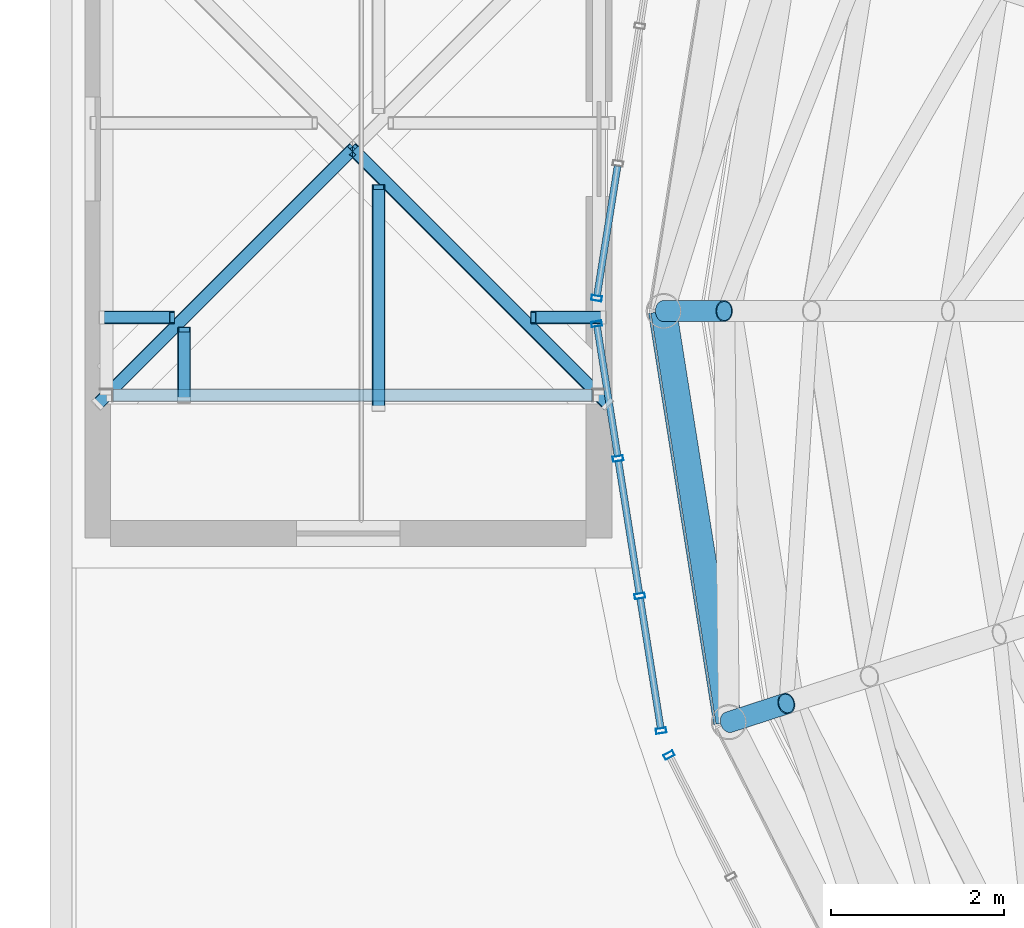
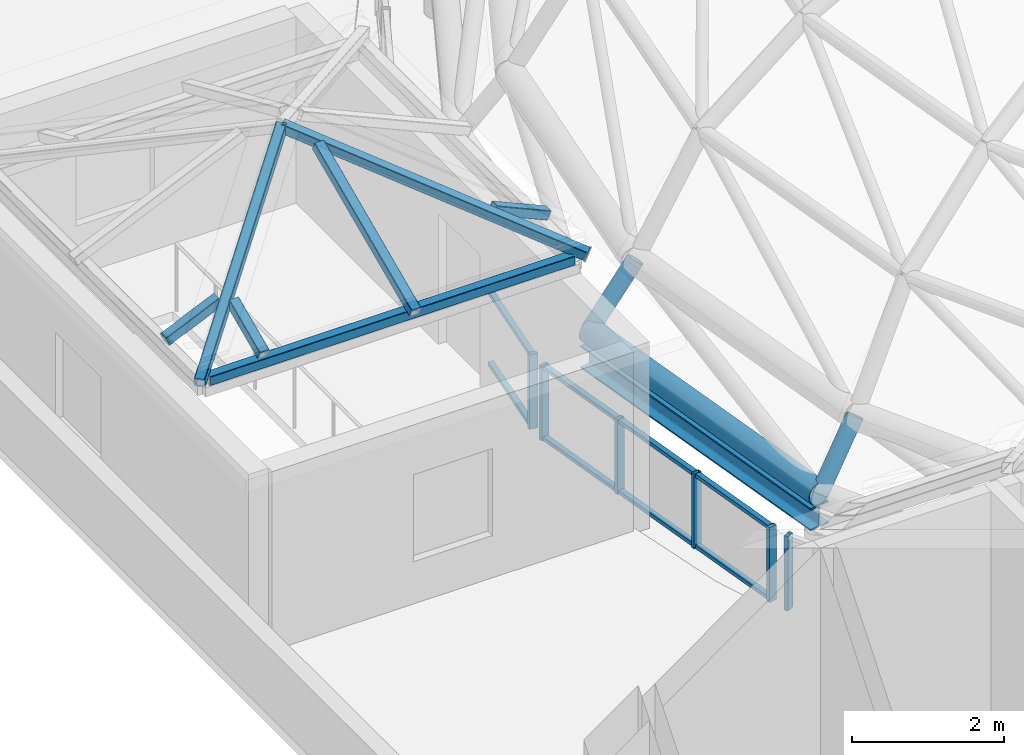
# One storey, part 21 of 69: 24 members, 1 beam, 3 elements without a shape of their own.
"""IFC4 building model written with IfcOpenShell, lengths in metres."""

from ifc_helpers import new_model, si_unit, direction, frame, origin, origin_2d, place, context, subcontext, project, spatial, hollow_rectangle, hollow_circle, i_section, extrude, material, layer, layer_set, material_profile, profile_set, type_object, element, aggregate, save


model = new_model("IFC4")

# Units and contexts
model_context = context("Model", 3, precision=1e-05, world=origin(), true_north=direction((0.0, 1.0)))
body_context = subcontext(model_context, "Body", "Model", "MODEL_VIEW")
ifc_project = project(units=[si_unit("LENGTHUNIT", "METRE"), si_unit("AREAUNIT", "SQUARE_METRE"), si_unit("VOLUMEUNIT", "CUBIC_METRE"), si_unit("PLANEANGLEUNIT", "RADIAN"), si_unit("MASSUNIT", "GRAM", prefix="KILO")], contexts=[model_context])

# Site, building, storey
site_placement = place(None, origin())
site = spatial("IfcSite", under=ifc_project, at=site_placement, CompositionType="ELEMENT")
building_placement = place(site_placement, origin())
building = spatial("IfcBuilding", under=site, at=building_placement, Name="Kallimachos Central Library", CompositionType="ELEMENT")
storey_placement = place(building_placement, frame((0.0, 0.0, 23.39990234375)))
storey = spatial("IfcBuildingStorey", under=building, at=storey_placement, Name="L05", CompositionType="ELEMENT", Elevation=23.39990234375)

# Members
ifc_material_1 = material(Name="Steel S355J2H", Category="steel")
ifc_material_profile_1 = material_profile(ifc_material_1, hollow_circle(Radius=0.122314453125, WallThickness=0.012451171875, at=origin_2d()), Name="CHS 244.5x12.5")
ifc_profile_set_1 = profile_set([ifc_material_profile_1], Name="Steel S355J2H")
member_type_1 = type_object("IfcMemberType", Name="CHS 244.5x12.5 dome rib", PredefinedType="RAFTER", material=ifc_profile_set_1)
for number, where, z_axis, x_axis, name in (
    (1, (73.300048828125, 104.39990234375, 2.27783203125), (-0.613955438871, 0.0, -0.78934068632), (0.0, -1.0, 0.0), "Dome rib DR-7-10"),
    (2, (74.01953125, 99.857421875, 2.27783203125), (-0.583950472089, -0.189725015868, -0.78930745879), (0.308999325213, -0.951062257173, 0.0), "Dome rib DR-7-11"),
):
    element("IfcMember", number, at=place(storey_placement, frame(where, z_axis=z_axis, x_axis=x_axis)), inside=storey, type_object=member_type_1, Name=name, PredefinedType="RAFTER", context=body_context, shape_type="SweptSolid", body=[
        extrude(hollow_circle(Radius=0.122314453125, WallThickness=0.012451171875, at=origin_2d()), origin(), (0.0, 0.0, 1.0), 1.14013671875),
    ])
ifc_material_2 = material(Name="Steel S355J2H", Category="steel")
ifc_material_profile_2 = material_profile(ifc_material_2, hollow_circle(Radius=0.177734375, WallThickness=0.008056640625, at=origin_2d()), Name="CHS 355.6x8")
ifc_profile_set_2 = profile_set([ifc_material_profile_2], Name="Steel S355J2H")
member_type_2 = type_object("IfcMemberType", Name="CHS 355.6x8 dome ring", PredefinedType="PURLIN", material=ifc_profile_set_2)
member_1_placement = place(storey_placement, frame((72.60009765625, 104.39990234375, 1.3779296875), z_axis=(0.156423119957, -0.987690137413, 0.0), x_axis=(0.987690137413, 0.156423119957, 0.0)))
element("IfcMember", 3, at=member_1_placement, inside=storey, type_object=member_type_2, Name="Dome ring DN-8-10", PredefinedType="PURLIN", context=body_context, shape_type="SweptSolid", body=[
    extrude(hollow_circle(Radius=0.177734375, WallThickness=0.008056640625, at=origin_2d()), origin(), (0.0, 0.0, 1.0), 4.818115234375),
])

# Curtain wall, member
ifc_material_3 = material(Name="Anodised aluminium and laminated glass", Category="aluminium")
ifc_layer = layer(ifc_material_3, 0.159912109375)
ifc_layer_set = layer_set([ifc_layer], Name="Glass box curtain wall")
curtain_wall_type = type_object("IfcCurtainWallType", Name="Glass box curtain wall", PredefinedType="NOTDEFINED", material=ifc_layer_set)
curtain_wall_1_placement = place(storey_placement, origin())
curtain_wall_1 = element("IfcCurtainWall", 4, at=curtain_wall_1_placement, inside=storey, type_object=curtain_wall_type, Name="Drum clerestory facet 10", PredefinedType="NOTDEFINED")
ifc_material_4 = material(Name="Anodised aluminium", Category="aluminium")
ifc_material_profile_3 = material_profile(ifc_material_4, hollow_rectangle(XDim=0.06005859375, YDim=0.1201171875, WallThickness=0.00390625, at=origin_2d()), Name="ALU MULLION 60x120")
ifc_profile_set_3 = profile_set([ifc_material_profile_3], Name="Anodised aluminium")
member_type_3 = type_object("IfcMemberType", Name="Glass box mullion 60x120", PredefinedType="MULLION", material=ifc_profile_set_3)
member_2_placement = place(storey_placement, frame((71.823974609375, 104.548095703125, 0.0), z_axis=(0.0, 0.0, 1.0), x_axis=(-0.156435338924, -0.987688202185, 0.0)))
member_2 = element("IfcMember", 5, at=member_2_placement, type_object=member_type_3, Name="CW44 mullion 4", PredefinedType="MULLION", context=body_context, shape_type="SweptSolid", body=[
    extrude(hollow_rectangle(XDim=0.06005859375, YDim=0.1201171875, WallThickness=0.00390625, at=origin_2d()), origin(), (0.0, 0.0, 1.0), 1.2001953125),
])

# Curtain wall, members
curtain_wall_2_placement = place(storey_placement, origin())
curtain_wall_2 = element("IfcCurtainWall", 6, at=curtain_wall_2_placement, inside=storey, type_object=curtain_wall_type, Name="Drum clerestory facet 11", PredefinedType="NOTDEFINED")
member_3_placement = place(storey_placement, frame((71.823974609375, 104.251953125, 0.0), z_axis=(0.0, 0.0, 1.0), x_axis=(0.156435338924, -0.987688202185, 0.0)))
member_3 = element("IfcMember", 7, at=member_3_placement, type_object=member_type_3, Name="CW45 mullion 1", PredefinedType="MULLION", context=body_context, shape_type="SweptSolid", body=[
    extrude(hollow_rectangle(XDim=0.06005859375, YDim=0.1201171875, WallThickness=0.00390625, at=origin_2d()), origin(), (0.0, 0.0, 1.0), 1.2001953125),
])
member_4_placement = place(storey_placement, frame((72.071044921875, 102.69189453125, 0.0), z_axis=(0.0, 0.0, 1.0), x_axis=(0.156435338924, -0.987688202185, 0.0)))
member_4 = element("IfcMember", 8, at=member_4_placement, type_object=member_type_3, Name="CW45 mullion 2", PredefinedType="MULLION", context=body_context, shape_type="SweptSolid", body=[
    extrude(hollow_rectangle(XDim=0.06005859375, YDim=0.1201171875, WallThickness=0.00390625, at=origin_2d()), origin(), (0.0, 0.0, 1.0), 1.2001953125),
])
member_5_placement = place(storey_placement, frame((72.322998046875, 101.102294921875, 0.0), z_axis=(0.0, 0.0, 1.0), x_axis=(0.156435338924, -0.987688202185, 0.0)))
member_5 = element("IfcMember", 9, at=member_5_placement, type_object=member_type_3, Name="CW45 mullion 3", PredefinedType="MULLION", context=body_context, shape_type="SweptSolid", body=[
    extrude(hollow_rectangle(XDim=0.06005859375, YDim=0.1201171875, WallThickness=0.00390625, at=origin_2d()), origin(), (0.0, 0.0, 1.0), 1.2001953125),
])
member_6_placement = place(storey_placement, frame((72.570068359375, 99.542236328125, 0.0), z_axis=(0.0, 0.0, 1.0), x_axis=(0.156435338924, -0.987688202185, 0.0)))
member_6 = element("IfcMember", 10, at=member_6_placement, type_object=member_type_3, Name="CW45 mullion 4", PredefinedType="MULLION", context=body_context, shape_type="SweptSolid", body=[
    extrude(hollow_rectangle(XDim=0.06005859375, YDim=0.1201171875, WallThickness=0.00390625, at=origin_2d()), origin(), (0.0, 0.0, 1.0), 1.2001953125),
])

# Curtain wall, member
curtain_wall_3_placement = place(storey_placement, origin())
curtain_wall_3 = element("IfcCurtainWall", 11, at=curtain_wall_3_placement, inside=storey, type_object=curtain_wall_type, Name="Drum clerestory facet 12", PredefinedType="NOTDEFINED")
member_7_placement = place(storey_placement, frame((72.66162109375, 99.260498046875, 0.0), z_axis=(0.0, 0.0, 1.0), x_axis=(0.453990803653, -0.891006369337, 0.0)))
member_7 = element("IfcMember", 12, at=member_7_placement, type_object=member_type_3, Name="CW46 mullion 1", PredefinedType="MULLION", context=body_context, shape_type="SweptSolid", body=[
    extrude(hollow_rectangle(XDim=0.06005859375, YDim=0.1201171875, WallThickness=0.00390625, at=origin_2d()), origin(), (0.0, 0.0, 1.0), 1.2001953125),
])
aggregate(curtain_wall_3, [member_7])

# Member
ifc_material_5 = material(Name="Anodised aluminium", Category="aluminium")
ifc_material_profile_4 = material_profile(ifc_material_5, hollow_rectangle(XDim=0.06005859375, YDim=0.080078125, WallThickness=0.00390625, at=origin_2d()), Name="ALU TRANSOM 60x80")
ifc_profile_set_4 = profile_set([ifc_material_profile_4], Name="Anodised aluminium")
member_type_4 = type_object("IfcMemberType", Name="Glass box transom 60x80", PredefinedType="USERDEFINED", material=ifc_profile_set_4)
member_8_placement = place(storey_placement, frame((72.06640625, 106.07861328125, 0.030029296875), z_axis=(-0.156498862419, -0.9876781389, 0.0), x_axis=(0.0, 0.0, 1.0)))
member_8 = element("IfcMember", 13, at=member_8_placement, type_object=member_type_4, Name="CW44 transom 3.1", ObjectType="TRANSOM", PredefinedType="USERDEFINED", context=body_context, shape_type="SweptSolid", body=[
    extrude(hollow_rectangle(XDim=0.06005859375, YDim=0.080078125, WallThickness=0.00390625, at=origin_2d()), origin(), (0.0, 0.0, 1.0), 1.51953125),
])

member_9_placement = place(storey_placement, frame((72.06640625, 106.07861328125, 1.170166015625), z_axis=(-0.156498862419, -0.9876781389, 0.0), x_axis=(0.0, 0.0, 1.0)))
member_9 = element("IfcMember", 14, at=member_9_placement, type_object=member_type_4, Name="CW44 transom 3.2", ObjectType="TRANSOM", PredefinedType="USERDEFINED", context=body_context, shape_type="SweptSolid", body=[
    extrude(hollow_rectangle(XDim=0.06005859375, YDim=0.080078125, WallThickness=0.00390625, at=origin_2d()), origin(), (0.0, 0.0, 1.0), 1.51953125),
])

aggregate(curtain_wall_1, [member_2, member_8, member_9])

member_10_placement = place(storey_placement, frame((71.82861328125, 104.22216796875, 0.030029296875), z_axis=(0.156498862419, -0.9876781389, 0.0), x_axis=(0.0, 0.0, 1.0)))
member_10 = element("IfcMember", 15, at=member_10_placement, type_object=member_type_4, Name="CW45 transom 1.1", ObjectType="TRANSOM", PredefinedType="USERDEFINED", context=body_context, shape_type="SweptSolid", body=[
    extrude(hollow_rectangle(XDim=0.06005859375, YDim=0.080078125, WallThickness=0.00390625, at=origin_2d()), origin(), (0.0, 0.0, 1.0), 1.51953125),
])

member_11_placement = place(storey_placement, frame((71.82861328125, 104.22216796875, 1.170166015625), z_axis=(0.156498862419, -0.9876781389, 0.0), x_axis=(0.0, 0.0, 1.0)))
member_11 = element("IfcMember", 16, at=member_11_placement, type_object=member_type_4, Name="CW45 transom 1.2", ObjectType="TRANSOM", PredefinedType="USERDEFINED", context=body_context, shape_type="SweptSolid", body=[
    extrude(hollow_rectangle(XDim=0.06005859375, YDim=0.080078125, WallThickness=0.00390625, at=origin_2d()), origin(), (0.0, 0.0, 1.0), 1.51953125),
])

member_12_placement = place(storey_placement, frame((72.07568359375, 102.662109375, 0.030029296875), z_axis=(0.156472330279, -0.987682342586, 0.0), x_axis=(0.0, 0.0, 1.0)))
member_12 = element("IfcMember", 17, at=member_12_placement, type_object=member_type_4, Name="CW45 transom 2.1", ObjectType="TRANSOM", PredefinedType="USERDEFINED", context=body_context, shape_type="SweptSolid", body=[
    extrude(hollow_rectangle(XDim=0.06005859375, YDim=0.080078125, WallThickness=0.00390625, at=origin_2d()), origin(), (0.0, 0.0, 1.0), 1.54931640625),
])

member_13_placement = place(storey_placement, frame((72.07568359375, 102.662109375, 1.170166015625), z_axis=(0.156472330279, -0.987682342586, 0.0), x_axis=(0.0, 0.0, 1.0)))
member_13 = element("IfcMember", 18, at=member_13_placement, type_object=member_type_4, Name="CW45 transom 2.2", ObjectType="TRANSOM", PredefinedType="USERDEFINED", context=body_context, shape_type="SweptSolid", body=[
    extrude(hollow_rectangle(XDim=0.06005859375, YDim=0.080078125, WallThickness=0.00390625, at=origin_2d()), origin(), (0.0, 0.0, 1.0), 1.54931640625),
])

member_14_placement = place(storey_placement, frame((72.32763671875, 101.072509765625, 0.030029296875), z_axis=(0.156342115329, -0.987702962927, 0.0), x_axis=(0.0, 0.0, 1.0)))
member_14 = element("IfcMember", 19, at=member_14_placement, type_object=member_type_4, Name="CW45 transom 3.1", ObjectType="TRANSOM", PredefinedType="USERDEFINED", context=body_context, shape_type="SweptSolid", body=[
    extrude(hollow_rectangle(XDim=0.06005859375, YDim=0.080078125, WallThickness=0.00390625, at=origin_2d()), origin(), (0.0, 0.0, 1.0), 1.51953125),
])

member_15_placement = place(storey_placement, frame((72.32763671875, 101.072509765625, 1.170166015625), z_axis=(0.156342115329, -0.987702962927, 0.0), x_axis=(0.0, 0.0, 1.0)))
member_15 = element("IfcMember", 20, at=member_15_placement, type_object=member_type_4, Name="CW45 transom 3.2", ObjectType="TRANSOM", PredefinedType="USERDEFINED", context=body_context, shape_type="SweptSolid", body=[
    extrude(hollow_rectangle(XDim=0.06005859375, YDim=0.080078125, WallThickness=0.00390625, at=origin_2d()), origin(), (0.0, 0.0, 1.0), 1.51953125),
])

aggregate(curtain_wall_2, [member_3, member_4, member_5, member_6, member_10, member_11, member_12, member_13, member_14, member_15])

# Beam
ifc_material_6 = material(Name="Steel S355J2", Category="steel")
ifc_material_profile_5 = material_profile(ifc_material_6, i_section(OverallWidth=0.300048828125, OverallDepth=0.360107421875, WebThickness=0.012451171875, FlangeThickness=0.0224609375, FilletRadius=0.027099609375, at=origin_2d()), Name="HEB 360")
ifc_profile_set_5 = profile_set([ifc_material_profile_5], Name="Steel S355J2")
beam_type = type_object("IfcBeamType", Name="HEB 360 beam", PredefinedType="BEAM", material=ifc_profile_set_5)
beam_placement = place(storey_placement, frame((72.60009765625, 104.39990234375, 1.02001953125), z_axis=(0.156423119957, -0.987690137413, 0.0), x_axis=(0.987690137413, 0.156423119957, 0.0)))
element("IfcBeam", 21, at=beam_placement, inside=storey, type_object=beam_type, Name="V1-BEM-L05-011", PredefinedType="BEAM", context=body_context, shape_type="SweptSolid", body=[
    extrude(i_section(OverallWidth=0.300048828125, OverallDepth=0.360107421875, WebThickness=0.012451171875, FlangeThickness=0.0224609375, FilletRadius=0.027099609375, at=origin_2d()), origin(), (0.0, 0.0, 1.0), 4.818115234375),
])

# Members
ifc_material_7 = material(Name="Steel S355J2H", Category="steel")
ifc_material_profile_6 = material_profile(ifc_material_7, hollow_rectangle(XDim=0.14990234375, YDim=0.14990234375, WallThickness=0.010009765625, InnerFilletRadius=0.010009765625, OuterFilletRadius=0.014892578125, at=origin_2d()), Name="SHS 150x150x10")
ifc_profile_set_6 = profile_set([ifc_material_profile_6], Name="Steel S355J2H")
member_type_5 = type_object("IfcMemberType", Name="SHS 150x150x10 eaves bearer", PredefinedType="STRINGER", material=ifc_profile_set_6)
member_16_placement = place(storey_placement, frame((66.22509765625, 103.425048828125, 3.425048828125), z_axis=(1.0, 0.0, 0.0), x_axis=(0.0, 1.0, 0.0)))
element("IfcMember", 22, at=member_16_placement, inside=storey, type_object=member_type_5, Name="Head-house roof V1-NW eaves bearer S", PredefinedType="STRINGER", context=body_context, shape_type="SweptSolid", body=[
    extrude(hollow_rectangle(XDim=0.14990234375, YDim=0.14990234375, WallThickness=0.010009765625, InnerFilletRadius=0.010009765625, OuterFilletRadius=0.014892578125, at=origin_2d()), origin(), (0.0, 0.0, 1.0), 5.5498046875),
])
ifc_material_8 = material(Name="Steel S355J2H", Category="steel")
ifc_material_profile_7 = material_profile(ifc_material_8, hollow_rectangle(XDim=0.14990234375, YDim=0.14990234375, WallThickness=0.010009765625, InnerFilletRadius=0.010009765625, OuterFilletRadius=0.014892578125, at=origin_2d()), Name="SHS 150x150x10")
ifc_profile_set_7 = profile_set([ifc_material_profile_7], Name="Steel S355J2H")
member_type_6 = type_object("IfcMemberType", Name="SHS 150x150x10 rafter", PredefinedType="RAFTER", material=ifc_profile_set_7)
member_17_placement = place(storey_placement, frame((67.050048828125, 103.375, 3.559814453125), z_axis=(0.0, 0.913470640573, 0.406904643389), x_axis=(-1.0, 0.0, 0.0)))
element("IfcMember", 23, at=member_17_placement, inside=storey, type_object=member_type_6, Name="Head-house roof V1-NW rafter", PredefinedType="RAFTER", context=body_context, shape_type="SweptSolid", body=[
    extrude(hollow_rectangle(XDim=0.14990234375, YDim=0.14990234375, WallThickness=0.010009765625, InnerFilletRadius=0.010009765625, OuterFilletRadius=0.014892578125, at=origin_2d()), origin(), (0.0, 0.0, 1.0), 0.88671875),
])
member_18_placement = place(storey_placement, frame((69.300048828125, 103.27490234375, 3.515380859375), z_axis=(0.0, 0.913534709899, 0.406760782045), x_axis=(-1.0, 0.0, 0.0)))
element("IfcMember", 24, at=member_18_placement, inside=storey, type_object=member_type_6, Name="Head-house roof V1-NW rafter", PredefinedType="RAFTER", context=body_context, shape_type="SweptSolid", body=[
    extrude(hollow_rectangle(XDim=0.14990234375, YDim=0.14990234375, WallThickness=0.010009765625, InnerFilletRadius=0.010009765625, OuterFilletRadius=0.014892578125, at=origin_2d()), origin(), (0.0, 0.0, 1.0), 2.80224609375),
])
for number, where, z_axis, x_axis, name in (
    (25, (66.10009765625, 104.324951171875, 3.559814453125), (0.913425040309, 0.0, 0.407006997159), (0.0, 1.0, 0.0), "Head-house roof V1-NW rafter"),
    (26, (71.89990234375, 104.324951171875, 3.559814453125), (-0.913425040309, 0.0, 0.407006997159), (0.0, -1.0, 0.0), "Head-house roof V1-NW rafter"),
):
    element("IfcMember", number, at=place(storey_placement, frame(where, z_axis=z_axis, x_axis=x_axis)), inside=storey, type_object=member_type_6, Name=name, PredefinedType="RAFTER", context=body_context, shape_type="SweptSolid", body=[
        extrude(hollow_rectangle(XDim=0.14990234375, YDim=0.14990234375, WallThickness=0.010009765625, InnerFilletRadius=0.010009765625, OuterFilletRadius=0.014892578125, at=origin_2d()), origin(), (0.0, 0.0, 1.0), 0.886474609375),
    ])
ifc_material_9 = material(Name="Steel S355J2H", Category="steel")
ifc_material_profile_8 = material_profile(ifc_material_9, hollow_rectangle(XDim=0.14990234375, YDim=0.14990234375, WallThickness=0.010009765625, InnerFilletRadius=0.010009765625, OuterFilletRadius=0.014892578125, at=origin_2d()), Name="SHS 150x150x10")
ifc_profile_set_8 = profile_set([ifc_material_profile_8], Name="Steel S355J2H")
member_type_7 = type_object("IfcMemberType", Name="SHS 200x200x10 hip rafter", PredefinedType="RAFTER", material=ifc_profile_set_8)
for number, where, z_axis, x_axis, name in (
    (27, (66.050048828125, 103.324951171875, 3.487548828125), (0.674479349295, 0.674479349295, 0.300258579811), (-0.707106781187, 0.707106781187, 0.0), "Head-house roof V1-NW hip"),
    (28, (71.949951171875, 103.324951171875, 3.487548828125), (-0.674479349295, 0.674479349295, 0.300258579811), (-0.707106781187, -0.707106781187, 0.0), "Head-house roof V1-NW hip"),
):
    element("IfcMember", number, at=place(storey_placement, frame(where, z_axis=z_axis, x_axis=x_axis)), inside=storey, type_object=member_type_7, Name=name, PredefinedType="RAFTER", context=body_context, shape_type="SweptSolid", body=[
        extrude(hollow_rectangle(XDim=0.14990234375, YDim=0.14990234375, WallThickness=0.010009765625, InnerFilletRadius=0.010009765625, OuterFilletRadius=0.014892578125, at=origin_2d()), origin(), (0.0, 0.0, 1.0), 4.373779296875),
    ])

save(model, "model.ifc")
